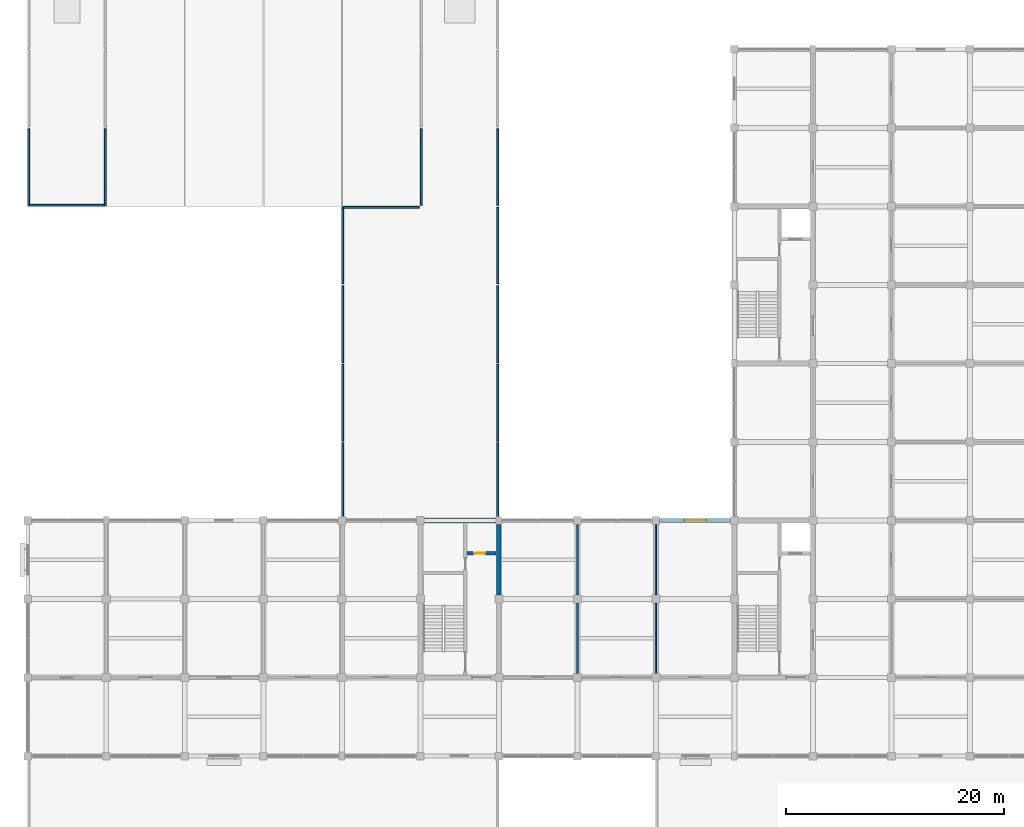
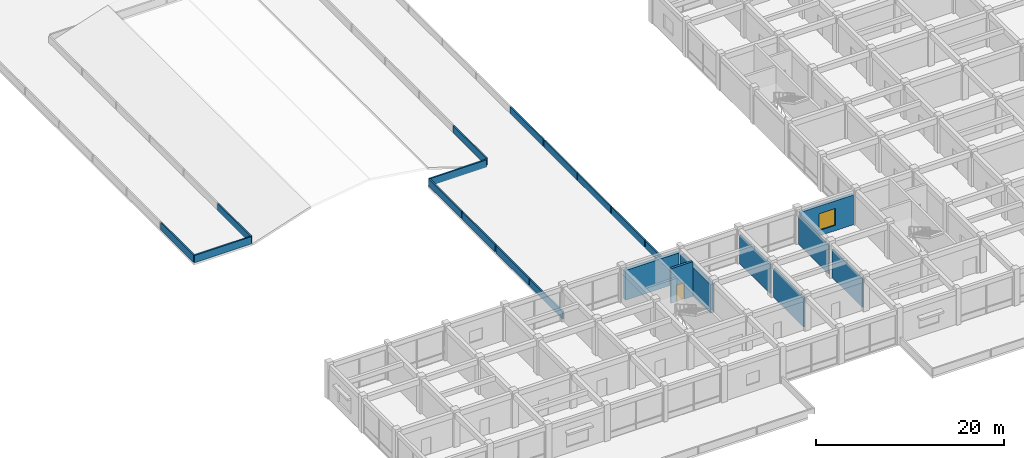
# One storey, part 19 of 30: 22 walls, 1 door, 1 window, 2 openings.
"""IFC4 building model written with IfcOpenShell, lengths in metres."""

from ifc_helpers import new_model, si_unit, direction, frame, frame_2d, origin, place, context, subcontext, project, spatial, rectangle, extrude, material, layer, layer_set, type_object, element, fill, save


model = new_model("IFC4")

# Units and contexts
model_context = context("Model", 3, precision=1e-05, world=origin(), true_north=direction((0.0, 1.0)))
body_context = subcontext(model_context, "Body", "Model", "MODEL_VIEW")
ifc_project = project(units=[si_unit("LENGTHUNIT", "METRE"), si_unit("AREAUNIT", "SQUARE_METRE"), si_unit("VOLUMEUNIT", "CUBIC_METRE"), si_unit("PLANEANGLEUNIT", "RADIAN"), si_unit("MASSUNIT", "GRAM", prefix="KILO")], contexts=[model_context])

# Site, building, storey
site_placement = place(None, origin())
site = spatial("IfcSite", under=ifc_project, at=site_placement, CompositionType="ELEMENT")
building_placement = place(site_placement, origin())
building = spatial("IfcBuilding", under=site, at=building_placement, Name="Cendaluz Park School", CompositionType="ELEMENT")
storey_placement = place(building_placement, frame((0.0, 0.0, 9.60009765625)))
storey = spatial("IfcBuildingStorey", under=building, at=storey_placement, Name="L02", CompositionType="ELEMENT", Elevation=9.60009765625)

# Walls
ifc_material_1 = material(Name="Gypsum Plasterboard on Cold-Formed Stud", Category="gypsum")
ifc_layer_1 = layer(ifc_material_1, 0.199951171875)
ifc_layer_set_1 = layer_set([ifc_layer_1], Name="Gypsum Plasterboard on Cold-Formed Stud")
wall_type_1 = type_object("IfcWallType", Name="W-AC20", PredefinedType="PARTITIONING", material=ifc_layer_set_1)
wall_1_placement = place(storey_placement, frame((50.39990234375, 14.77490234375, 0.0), z_axis=(0.0, 0.0, 1.0), x_axis=(0.0, 1.0, 0.0)))
element("IfcWall", 1, at=wall_1_placement, inside=storey, type_object=wall_type_1, Name="WL-FC-BZ7", PredefinedType="PARTITIONING", context=body_context, shape_type="SweptSolid", body=[
    extrude(rectangle(XDim=6.4501953125, YDim=0.199951171875, at=frame_2d((3.22509765625, 0.0))), origin(), (0.0, 0.0, 1.0), 3.739990234375),
])
wall_2_placement = place(storey_placement, frame((50.39990234375, 21.97509765625, 0.0), z_axis=(0.0, 0.0, 1.0), x_axis=(0.0, 1.0, 0.0)))
element("IfcWall", 2, at=wall_2_placement, inside=storey, type_object=wall_type_1, Name="WL-FC-BZ8", PredefinedType="PARTITIONING", context=body_context, shape_type="SweptSolid", body=[
    extrude(rectangle(XDim=6.474853515625, YDim=0.199951171875, at=frame_2d((3.2373046875, 0.0))), origin(), (0.0, 0.0, 1.0), 3.739990234375),
])

# Wall, opening, window
ifc_material_2 = material(Name="Concrete C40/50 precast", Category="concrete")
ifc_layer_2 = layer(ifc_material_2, 0.360107421875)
ifc_layer_set_2 = layer_set([ifc_layer_2], Name="Concrete C40/50 precast")
wall_type_2 = type_object("IfcWallType", Name="W-EX36", PredefinedType="SOLIDWALL", material=ifc_layer_set_2)
wall_3_placement = place(storey_placement, frame((57.949951171875, 28.800048828125, 0.0), z_axis=(0.0, 0.0, 1.0), x_axis=(1.0, 0.0, 0.0)))
wall_3 = element("IfcWall", 3, at=wall_3_placement, inside=storey, type_object=wall_type_2, Name="WL-FC-AA5", PredefinedType="SOLIDWALL", context=body_context, shape_type="SweptSolid", body=[
    extrude(rectangle(XDim=6.5, YDim=0.360107421875, at=frame_2d((3.25, 0.0))), origin(), (0.0, 0.0, 1.0), 3.8798828125),
])
opening_1_placement = place(wall_3_placement, frame((2.25, 0.0, 0.699951171875)))
opening_1 = element("IfcOpeningElement", 4, at=opening_1_placement, cuts=wall_3, Name="Opening WN-22", PredefinedType="OPENING", context=body_context, shape_type="SweptSolid", body=[
    extrude(rectangle(XDim=2.0, YDim=2.199951171875, at=frame_2d((1.0, 1.10009765625))), frame((0.0, 0.192138671875, 0.0), z_axis=(0.0, -1.0, 0.0), x_axis=(1.0, 0.0, 0.0)), (0.0, 0.0, 1.0), 0.384033203125),
])
ifc_material_3 = material(Name="Tempered Low-E Double Glazing", Category="glass")
window_type = type_object("IfcWindowType", Name="WN-22", PartitioningType="SINGLE_PANEL", PredefinedType="WINDOW", material=ifc_material_3)
window_placement = place(opening_1_placement, origin())
window = element("IfcWindow", 5, at=window_placement, inside=storey, type_object=window_type, Name="WN-L02-006", OverallHeight=2.199951171875, OverallWidth=2.0, PartitioningType="SINGLE_PANEL", PredefinedType="WINDOW", context=body_context, shape_type="SweptSolid", body=[
    extrude(rectangle(XDim=2.0, YDim=2.199951171875, at=frame_2d((1.0, 1.10009765625))), frame((0.0, 0.030029296875, 0.0), z_axis=(0.0, -1.0, 0.0), x_axis=(1.0, 0.0, 0.0)), (0.0, 0.0, 1.0), 0.06005859375),
])
fill(opening_1, window)

# Wall, opening, door
ifc_material_4 = material(Name="Concrete C40/50", Category="concrete")
ifc_layer_3 = layer(ifc_material_4, 0.280029296875)
ifc_layer_set_3 = layer_set([ifc_layer_3], Name="Concrete C40/50")
wall_type_3 = type_object("IfcWallType", Name="W-FW28", PredefinedType="SHEAR", material=ifc_layer_set_3)
wall_4_placement = place(storey_placement, frame((40.280029296875, 25.800048828125, 0.0), z_axis=(0.0, 0.0, 1.0), x_axis=(1.0, 0.0, 0.0)))
wall_4 = element("IfcWall", 6, at=wall_4_placement, inside=storey, type_object=wall_type_3, Name="WL-FC-BW5", PredefinedType="SHEAR", context=body_context, shape_type="SweptSolid", body=[
    extrude(rectangle(XDim=2.679931640625, YDim=0.280029296875, at=frame_2d((1.33984375, 0.0))), origin(), (0.0, 0.0, 1.0), 4.510009765625),
])
opening_2_placement = place(wall_4_placement, frame((0.64990234375, 0.0, 0.0)))
opening_2 = element("IfcOpeningElement", 7, at=opening_2_placement, cuts=wall_4, Name="Opening DFC-01", PredefinedType="OPENING", context=body_context, shape_type="SweptSolid", body=[
    extrude(rectangle(XDim=1.0, YDim=2.14990234375, at=frame_2d((0.5, 1.074951171875))), frame((0.0, 0.152099609375, 0.0), z_axis=(0.0, -1.0, 0.0), x_axis=(1.0, 0.0, 0.0)), (0.0, 0.0, 1.0), 0.303955078125),
])
ifc_material_5 = material(Name="Solid Core Hardwood", Category="wood")
door_type = type_object("IfcDoorType", Name="DFC-01", OperationType="NOTDEFINED", PredefinedType="DOOR", material=ifc_material_5)
door_placement = place(opening_2_placement, frame((1.0, 0.0, 0.0), z_axis=(0.0, 0.0, 1.0), x_axis=(-1.0, 0.0, 0.0)))
door = element("IfcDoor", 8, at=door_placement, inside=storey, type_object=door_type, Name="D-L02-022", OperationType="SINGLE_SWING_RIGHT", OverallHeight=2.14990234375, OverallWidth=1.0, PredefinedType="DOOR", context=body_context, shape_type="SweptSolid", body=[
    extrude(rectangle(XDim=1.0, YDim=2.14990234375, at=frame_2d((0.5, 1.074951171875))), frame((0.0, 0.02490234375, 0.0), z_axis=(0.0, -1.0, 0.0), x_axis=(1.0, 0.0, 0.0)), (0.0, 0.0, 1.0), 0.050048828125),
])
fill(opening_2, door)

# Walls
ifc_layer_4 = layer(ifc_material_1, 0.1201171875)
ifc_layer_set_4 = layer_set([ifc_layer_4], Name="Gypsum Plasterboard on Cold-Formed Stud")
wall_type_4 = type_object("IfcWallType", Name="W-MV12", PredefinedType="MOVABLE", material=ifc_layer_set_4)
wall_5_placement = place(storey_placement, frame((57.60009765625, 14.77490234375, 0.0), z_axis=(0.0, 0.0, 1.0), x_axis=(0.0, 1.0, 0.0)))
element("IfcWall", 9, at=wall_5_placement, inside=storey, type_object=wall_type_4, Name="WL-FC-CA0", PredefinedType="MOVABLE", context=body_context, shape_type="SweptSolid", body=[
    extrude(rectangle(XDim=6.4501953125, YDim=0.1201171875, at=frame_2d((3.22509765625, 0.0))), origin(), (0.0, 0.0, 1.0), 3.739990234375),
])
wall_6_placement = place(storey_placement, frame((57.60009765625, 21.97509765625, 0.0), z_axis=(0.0, 0.0, 1.0), x_axis=(0.0, 1.0, 0.0)))
element("IfcWall", 10, at=wall_6_placement, inside=storey, type_object=wall_type_4, Name="WL-FC-CA1", PredefinedType="MOVABLE", context=body_context, shape_type="SweptSolid", body=[
    extrude(rectangle(XDim=6.474853515625, YDim=0.1201171875, at=frame_2d((3.2373046875, 0.0))), origin(), (0.0, 0.0, 1.0), 3.739990234375),
])
ifc_layer_5 = layer(ifc_material_2, 0.179931640625)
ifc_layer_set_5 = layer_set([ifc_layer_5], Name="Concrete C40/50 precast")
wall_type_5 = type_object("IfcWallType", Name="W-PR18", PredefinedType="PARAPET", material=ifc_layer_set_5)
for number, where, z_axis, x_axis, name in (
    (11, (0.090087890625, 57.68994140625, 0.0), (0.0, 0.0, 1.0), (1.0, 0.0, 0.0), "WL-FC-AC1"),
    (12, (0.090087890625, 57.68994140625, 0.0), (0.0, 0.0, 1.0), (0.0, 1.0, 0.0), "WL-FC-AC2"),
    (13, (7.110107421875, 57.68994140625, 0.0), (0.0, 0.0, 1.0), (0.0, 1.0, 0.0), "WL-FC-AC3"),
    (14, (28.889892578125, 28.889892578125, 0.0), (0.0, 0.0, 1.0), (0.0, 1.0, 0.0), "WL-FC-AE7"),
    (15, (28.889892578125, 36.090087890625, 0.0), (0.0, 0.0, 1.0), (0.0, 1.0, 0.0), "WL-FC-AE8"),
    (16, (28.889892578125, 43.2900390625, 0.0), (0.0, 0.0, 1.0), (0.0, 1.0, 0.0), "WL-FC-AE9"),
    (17, (28.889892578125, 57.510009765625, 0.0), (0.0, 0.0, 1.0), (1.0, 0.0, 0.0), "WL-FC-AF0"),
    (18, (28.889892578125, 50.489990234375, 0.0), (0.0, 0.0, 1.0), (0.0, 1.0, 0.0), "WL-FC-AF1"),
    (19, (43.110107421875, 28.889892578125, 0.0), (0.0, 0.0, 1.0), (0.0, 1.0, 0.0), "WL-FC-AF6"),
    (20, (43.110107421875, 36.090087890625, 0.0), (0.0, 0.0, 1.0), (0.0, 1.0, 0.0), "WL-FC-AF7"),
    (21, (43.110107421875, 43.2900390625, 0.0), (0.0, 0.0, 1.0), (0.0, 1.0, 0.0), "WL-FC-AF8"),
    (22, (43.110107421875, 50.489990234375, 0.0), (0.0, 0.0, 1.0), (0.0, 1.0, 0.0), "WL-FC-AF9"),
    (23, (36.090087890625, 57.68994140625, 0.0), (0.0, 0.0, 1.0), (0.0, 1.0, 0.0), "WL-FC-AG0"),
    (24, (43.110107421875, 57.68994140625, 0.0), (0.0, 0.0, 1.0), (0.0, 1.0, 0.0), "WL-FC-AG1"),
):
    element("IfcWall", number, at=place(storey_placement, frame(where, z_axis=z_axis, x_axis=x_axis)), inside=storey, type_object=wall_type_5, Name=name, PredefinedType="PARAPET", context=body_context, shape_type="SweptSolid", body=[
        extrude(rectangle(XDim=7.02001953125, YDim=0.179931640625, at=frame_2d((3.510009765625, 0.0))), origin(), (0.0, 0.0, 1.0), 0.949951171875),
    ])
ifc_layer_6 = layer(ifc_material_4, 0.419921875)
ifc_layer_set_6 = layer_set([ifc_layer_6], Name="Concrete C40/50")
wall_type_6 = type_object("IfcWallType", Name="W-SH42", PredefinedType="SHEAR", material=ifc_layer_set_6)
wall_7_placement = place(storey_placement, frame((43.199951171875, 21.97509765625, 0.0), z_axis=(0.0, 0.0, 1.0), x_axis=(0.0, 1.0, 0.0)))
element("IfcWall", 25, at=wall_7_placement, inside=storey, type_object=wall_type_6, Name="WL-FC-BW0", PredefinedType="SHEAR", context=body_context, shape_type="SweptSolid", body=[
    extrude(rectangle(XDim=6.449951171875, YDim=0.419921875, at=frame_2d((3.22509765625, 0.0))), origin(), (0.0, 0.0, 1.0), 3.739990234375),
])
wall_8_placement = place(storey_placement, frame((36.35009765625, 28.800048828125, 0.0), z_axis=(0.0, 0.0, 1.0), x_axis=(1.0, 0.0, 0.0)))
element("IfcWall", 26, at=wall_8_placement, inside=storey, type_object=wall_type_6, Name="WL-FC-BW2", PredefinedType="SHEAR", context=body_context, shape_type="SweptSolid", body=[
    extrude(rectangle(XDim=6.599853515625, YDim=0.419921875, at=frame_2d((3.2998046875, 0.0))), origin(), (0.0, 0.0, 1.0), 3.8798828125),
])

save(model, "model.ifc")
